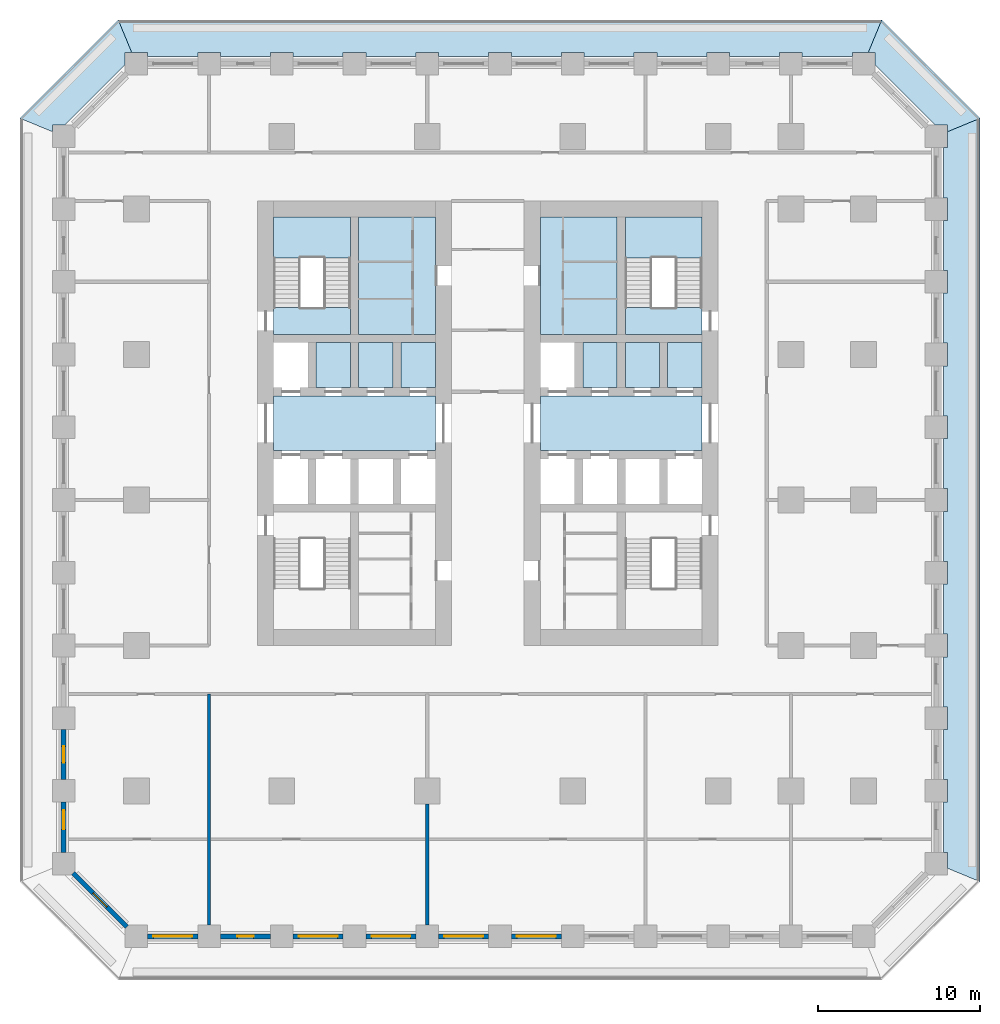
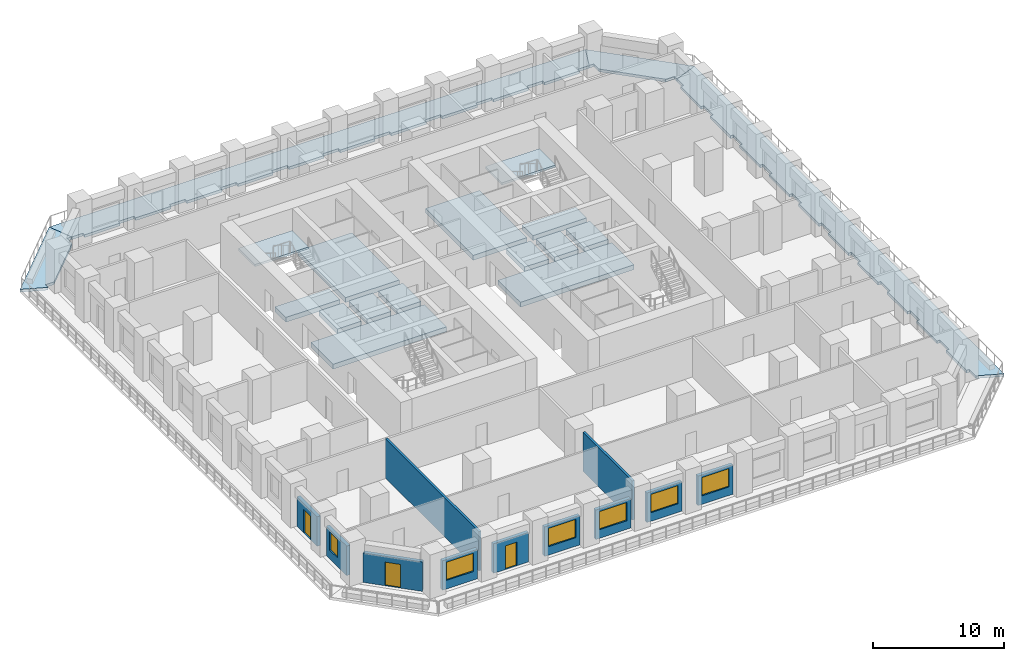
# One storey, part 2 of 11: 18 slabs, 11 walls, 6 windows, 3 doors, 9 openings, 2 elements without a shape of their own.
"""IFC4 building model written with IfcOpenShell, lengths in metres."""

import ifcopenshell
import ifcopenshell.guid

model = None  # the IFC model being written
_history = None  # IfcOwnerHistory: only IFC2X3 demands one
_inside = {}  # id of a spatial element -> (the spatial element, [elements in it])
_under = {}  # id of a project, library or spatial element -> (it, [spatial elements below it])
_declared = {}  # id of a project -> (the project, [libraries it declares])
_typed = {}  # id of a type object -> (the type object, [elements of that type])
_made_of = {}  # id of a material, layer set ... -> (it, [elements and type objects made of it])


def new_model(schema):
    """Start an empty IFC model of exactly this schema.

    Asked for "IFC4X3", IfcOpenShell would pick the latest addendum, in which some entities
    have other attributes; the version numbers below select the first issue.
    IFC2X3 requires an IfcOwnerHistory on every rooted entity: one is made here for all.
    """
    global model, _history
    if schema == "IFC4X3":
        model = ifcopenshell.file(schema_version=(4, 3, 0, 0))
    else:
        model = ifcopenshell.file(schema=schema)
    _inside.clear()
    _under.clear()
    _declared.clear()
    _typed.clear()
    _made_of.clear()
    _history = None
    if model.schema == "IFC2X3":
        org = make("IfcOrganization", Name="unknown")
        user = make(
            "IfcPersonAndOrganization",
            ThePerson=make("IfcPerson", FamilyName="unknown"),
            TheOrganization=org,
        )
        app = make(
            "IfcApplication",
            ApplicationDeveloper=org,
            Version="unknown",
            ApplicationFullName="unknown",
            ApplicationIdentifier="unknown",
        )
        _history = make(
            "IfcOwnerHistory",
            OwningUser=user,
            OwningApplication=app,
            ChangeAction="ADDED",
            CreationDate=0,
        )
    return model


def make(cls, **values):
    """One entity of the class cls with the attributes given. An attribute that is None is left unset."""
    return model.create_entity(
        cls, **{name: value for name, value in values.items() if value is not None}
    )


def rooted(cls, **values):
    """An entity with a GlobalId (a new one), such as an element, a storey or a relation."""
    return make(cls, GlobalId=ifcopenshell.guid.new(), OwnerHistory=_history, **values)


def si_unit(unit_type, name, prefix=None):
    """IfcSIUnit, for example si_unit("LENGTHUNIT", "METRE", prefix="MILLI")."""
    return make("IfcSIUnit", UnitType=unit_type, Prefix=prefix, Name=name)


def assignment(units):
    """IfcUnitAssignment: the units of a project."""
    return None if units is None else make("IfcUnitAssignment", Units=units)


def point(xyz):
    """IfcCartesianPoint."""
    return None if xyz is None else make("IfcCartesianPoint", Coordinates=xyz)


def direction(xyz):
    """IfcDirection."""
    return None if xyz is None else make("IfcDirection", DirectionRatios=xyz)


def frame(location, z_axis=None, x_axis=None):
    """IfcAxis2Placement3D, a coordinate frame: its origin and axes. An axis left out is left unset."""
    return make(
        "IfcAxis2Placement3D",
        Location=point(location),
        Axis=direction(z_axis),
        RefDirection=direction(x_axis),
    )


def frame_2d(location, x_axis=None):
    """IfcAxis2Placement2D, a coordinate frame in the plane: its origin and x axis."""
    return make(
        "IfcAxis2Placement2D", Location=point(location), RefDirection=direction(x_axis)
    )


def origin():
    """The frame at (0, 0, 0) with its axes left unset."""
    return frame((0.0, 0.0, 0.0))


def place(relative_to, where):
    """IfcLocalPlacement: puts the frame where relative to a parent placement (None: the world)."""
    return make(
        "IfcLocalPlacement", PlacementRelTo=relative_to, RelativePlacement=where
    )


def context(
    kind, dimensions, precision=None, world=None, true_north=None, identifier=None
):
    """IfcGeometricRepresentationContext, for example the 3D "Model" context."""
    return make(
        "IfcGeometricRepresentationContext",
        ContextIdentifier=identifier,
        ContextType=kind,
        CoordinateSpaceDimension=dimensions,
        Precision=precision,
        WorldCoordinateSystem=world,
        TrueNorth=true_north,
    )


def subcontext(parent, identifier, kind, view, scale=None):
    """IfcGeometricRepresentationSubContext, for example "Body" below "Model"."""
    return make(
        "IfcGeometricRepresentationSubContext",
        ContextIdentifier=identifier,
        ContextType=kind,
        ParentContext=parent,
        TargetScale=scale,
        TargetView=view,
    )


def project(units=None, contexts=None):
    """IfcProject with its units and contexts."""
    return rooted(
        "IfcProject",
        Name="project",
        RepresentationContexts=contexts,
        UnitsInContext=assignment(units),
    )


def spatial(cls, under=None, at=None, **own):
    """A site, building, storey or space (cls), placed at a placement, below another one or the project."""
    s = rooted(cls, ObjectPlacement=at, **own)
    if under is not None:
        _under.setdefault(under.id(), (under, []))[1].append(s)
    return s


def polyline(points):
    """IfcPolyline through the points."""
    return make("IfcPolyline", Points=[point(p) for p in points])


def profile(cls, at=None, kind="AREA", **sizes):
    """A parametric profile (cls). Its sizes go by their IFC names, for example OverallWidth=200.0."""
    return make(cls, ProfileType=kind, Position=at, **sizes)


def rectangle(**sizes):
    """IfcRectangleProfileDef."""
    return profile("IfcRectangleProfileDef", **sizes)


def outline(outer, holes=None, kind="AREA"):
    """IfcArbitraryClosedProfileDef: a profile drawn as a closed curve; with holes, ...WithVoids."""
    if holes is None:
        return make("IfcArbitraryClosedProfileDef", ProfileType=kind, OuterCurve=outer)
    return make(
        "IfcArbitraryProfileDefWithVoids",
        ProfileType=kind,
        OuterCurve=outer,
        InnerCurves=holes,
    )


def extrude(swept, where, along, depth):
    """IfcExtrudedAreaSolid: the profile swept, set in the frame where, extruded along a direction by depth."""
    return make(
        "IfcExtrudedAreaSolid",
        SweptArea=swept,
        Position=where,
        ExtrudedDirection=direction(along),
        Depth=depth,
    )


def shape(context_of_items, identifier, shape_type, items):
    """IfcShapeRepresentation: the items that make up one representation, for example the "Body"."""
    return make(
        "IfcShapeRepresentation",
        ContextOfItems=context_of_items,
        RepresentationIdentifier=identifier,
        RepresentationType=shape_type,
        Items=items,
    )


def material(Name=None, Category=None):
    """IfcMaterial."""
    return make("IfcMaterial", Name=Name, Category=Category)


def layer(
    of_material, thickness, ventilated=None, Name=None, Category=None, Priority=None
):
    """IfcMaterialLayer: one layer of a wall or slab, of a material (None: an air gap)."""
    return make(
        "IfcMaterialLayer",
        Material=of_material,
        LayerThickness=thickness,
        IsVentilated=ventilated,
        Name=Name,
        Category=Category,
        Priority=Priority,
    )


def layer_set(layers, Name=None):
    """IfcMaterialLayerSet."""
    return make("IfcMaterialLayerSet", MaterialLayers=layers, LayerSetName=Name)


def made_of(thing, what):
    """Note that an element or type object is made of a material, layer set ...; save() writes the relation."""
    if what is not None:
        _made_of.setdefault(what.id(), (what, []))[1].append(thing)
    return thing


def type_object(cls, material=None, **own):
    """A type object (cls), such as IfcWallType, which elements share."""
    return made_of(rooted(cls, **own), material)


def element(
    cls,
    number,
    at=None,
    inside=None,
    cuts=None,
    type_object=None,
    material=None,
    context=None,
    identifier="Body",
    shape_type=None,
    held_by="IfcProductDefinitionShape",
    body=None,
    shapes=None,
    **own,
):
    """One element of the class cls, such as IfcWall. Its Tag is "e" and its number.

    at: its placement. inside: the storey or other place that contains it. cuts: it is an
    opening in that element (IfcRelVoidsElement). A single representation is given by context,
    identifier, shape_type and body (its items); several are given by shapes. held_by: the class
    of the entity that holds the representations. save() writes the other relations.
    """
    e = rooted(cls, Tag="e%d" % number, ObjectPlacement=at, **own)
    if body is not None:
        shapes = [shape(context, identifier, shape_type, body)]
    if shapes is not None:
        e.Representation = make(held_by, Representations=shapes)
    if inside is not None:
        _inside.setdefault(inside.id(), (inside, []))[1].append(e)
    if cuts is not None:
        rooted(
            "IfcRelVoidsElement", RelatingBuildingElement=cuts, RelatedOpeningElement=e
        )
    if type_object is not None:
        _typed.setdefault(type_object.id(), (type_object, []))[1].append(e)
    return made_of(e, material)


def fill(opening, filler):
    """IfcRelFillsElement: the door or window that sits in an opening."""
    return rooted(
        "IfcRelFillsElement",
        RelatingOpeningElement=opening,
        RelatedBuildingElement=filler,
    )


def aggregate(whole, parts):
    """IfcRelAggregates: a whole, such as a stair, and the parts it consists of."""
    return rooted("IfcRelAggregates", RelatingObject=whole, RelatedObjects=parts)


def save(model, path):
    """Write the relations noted so far, then the file.

    IfcRelAggregates (storeys below a building ...), IfcRelContainedInSpatialStructure (elements
    in a storey), IfcRelDefinesByType, IfcRelAssociatesMaterial and IfcRelDeclares: one each for
    every whole, place, type object, material and project.
    """
    for whole, parts in _under.values():
        aggregate(whole, parts)
    for where, things in _inside.values():
        rooted(
            "IfcRelContainedInSpatialStructure",
            RelatedElements=things,
            RelatingStructure=where,
        )
    for kind, things in _typed.values():
        rooted("IfcRelDefinesByType", RelatedObjects=things, RelatingType=kind)
    for what, things in _made_of.values():
        rooted("IfcRelAssociatesMaterial", RelatedObjects=things, RelatingMaterial=what)
    for by, libraries in _declared.values():
        rooted("IfcRelDeclares", RelatingContext=by, RelatedDefinitions=libraries)
    model.write(path)


model = new_model("IFC4")

# Units and contexts
model_context = context("Model", 3, precision=1e-05, world=origin(), true_north=direction((0.0, 1.0)))
body_context = subcontext(model_context, "Body", "Model", "MODEL_VIEW")
ifc_project = project(units=[si_unit("LENGTHUNIT", "METRE"), si_unit("AREAUNIT", "SQUARE_METRE"), si_unit("VOLUMEUNIT", "CUBIC_METRE"), si_unit("PLANEANGLEUNIT", "RADIAN"), si_unit("MASSUNIT", "GRAM", prefix="KILO")], contexts=[model_context])

# Site, building, storey
site_placement = place(None, origin())
site = spatial("IfcSite", under=ifc_project, at=site_placement, CompositionType="ELEMENT")
building_placement = place(site_placement, origin())
building = spatial("IfcBuilding", under=site, at=building_placement, Name="Corbel Stack Research Tower", CompositionType="ELEMENT")
storey_placement = place(building_placement, frame((0.0, 0.0, 46.0)))
storey = spatial("IfcBuildingStorey", under=building, at=storey_placement, Name="L10", CompositionType="ELEMENT", Elevation=46.0)

# Slabs
ifc_material_1 = material(Name="Concrete C45/55", Category="concrete")
ifc_layer_1 = layer(ifc_material_1, 0.25)
ifc_layer_set_1 = layer_set([ifc_layer_1], Name="Concrete C45/55")
slab_type_1 = type_object("IfcSlabType", Name="PT balcony slab 250 C45/55", PredefinedType="FLOOR", material=ifc_layer_set_1)
slab_1_placement = place(storey_placement, frame((0.0, 0.0, -0.25)))
element("IfcSlab", 1, at=slab_1_placement, inside=storey, type_object=slab_type_1, Name="Loggia slab L10 E", PredefinedType="FLOOR", context=body_context, shape_type="SweptSolid", body=[
    extrude(outline(polyline([(32.199951171875, 22.789794921875), (32.199951171875, 21.800048828125), (31.949951171875, 21.800048828125), (31.949951171875, 18.699951171875), (32.199951171875, 18.699951171875), (32.199951171875, 17.300048828125), (31.949951171875, 17.300048828125), (31.949951171875, 14.199951171875), (32.199951171875, 14.199951171875), (32.199951171875, 12.800048828125), (31.949951171875, 12.800048828125), (31.949951171875, 9.699951171875), (32.199951171875, 9.699951171875), (32.199951171875, 8.300048828125), (31.949951171875, 8.300048828125), (31.949951171875, 5.199951171875), (32.199951171875, 5.199951171875), (32.199951171875, 3.800048828125), (31.949951171875, 3.800048828125), (31.949951171875, 0.699951171875), (32.199951171875, 0.699951171875), (32.199951171875, -0.699951171875), (31.949951171875, -0.699951171875), (31.949951171875, -3.800048828125), (32.199951171875, -3.800048828125), (32.199951171875, -5.199951171875), (31.949951171875, -5.199951171875), (31.949951171875, -8.300048828125), (32.199951171875, -8.300048828125), (32.199951171875, -9.699951171875), (31.949951171875, -9.699951171875), (31.949951171875, -12.800048828125), (32.199951171875, -12.800048828125), (32.199951171875, -14.199951171875), (31.949951171875, -14.199951171875), (31.949951171875, -17.300048828125), (32.199951171875, -17.300048828125), (32.199951171875, -18.699951171875), (31.949951171875, -18.699951171875), (31.949951171875, -21.800048828125), (32.199951171875, -21.800048828125), (32.199951171875, -22.789794921875), (34.199951171875, -23.618408203125), (34.199951171875, 23.618408203125), (32.199951171875, 22.789794921875)])), origin(), (0.0, 0.0, 1.0), 0.25),
])
slab_2_placement = place(storey_placement, frame((0.0, 0.0, -0.25)))
element("IfcSlab", 2, at=slab_2_placement, inside=storey, type_object=slab_type_1, Name="Loggia slab L10 NE", PredefinedType="FLOOR", context=body_context, shape_type="SweptSolid", body=[
    extrude(outline(polyline([(27.289794921875, 27.699951171875), (27.699951171875, 27.699951171875), (27.699951171875, 26.936279296875), (31.436279296875, 23.199951171875), (32.199951171875, 23.199951171875), (32.199951171875, 22.789794921875), (34.199951171875, 23.618408203125), (28.118408203125, 29.699951171875), (27.289794921875, 27.699951171875)])), origin(), (0.0, 0.0, 1.0), 0.25),
])
slab_3_placement = place(storey_placement, frame((0.0, 0.0, -0.25)))
element("IfcSlab", 3, at=slab_3_placement, inside=storey, type_object=slab_type_1, Name="Loggia slab L10 N", PredefinedType="FLOOR", context=body_context, shape_type="SweptSolid", body=[
    extrude(outline(polyline([(-18.289794921875, 27.699951171875), (-17.300048828125, 27.699951171875), (-17.300048828125, 27.449951171875), (-14.199951171875, 27.449951171875), (-14.199951171875, 27.699951171875), (-12.800048828125, 27.699951171875), (-12.800048828125, 27.449951171875), (-9.699951171875, 27.449951171875), (-9.699951171875, 27.699951171875), (-8.300048828125, 27.699951171875), (-8.300048828125, 27.449951171875), (-5.199951171875, 27.449951171875), (-5.199951171875, 27.699951171875), (-3.800048828125, 27.699951171875), (-3.800048828125, 27.449951171875), (-0.699951171875, 27.449951171875), (-0.699951171875, 27.699951171875), (0.699951171875, 27.699951171875), (0.699951171875, 27.449951171875), (3.800048828125, 27.449951171875), (3.800048828125, 27.699951171875), (5.199951171875, 27.699951171875), (5.199951171875, 27.449951171875), (8.300048828125, 27.449951171875), (8.300048828125, 27.699951171875), (9.699951171875, 27.699951171875), (9.699951171875, 27.449951171875), (12.800048828125, 27.449951171875), (12.800048828125, 27.699951171875), (14.199951171875, 27.699951171875), (14.199951171875, 27.449951171875), (17.300048828125, 27.449951171875), (17.300048828125, 27.699951171875), (18.699951171875, 27.699951171875), (18.699951171875, 27.449951171875), (21.800048828125, 27.449951171875), (21.800048828125, 27.699951171875), (23.199951171875, 27.699951171875), (23.199951171875, 27.449951171875), (26.300048828125, 27.449951171875), (26.300048828125, 27.699951171875), (27.289794921875, 27.699951171875), (28.118408203125, 29.699951171875), (-19.118408203125, 29.699951171875), (-18.289794921875, 27.699951171875)])), origin(), (0.0, 0.0, 1.0), 0.25),
])
slab_4_placement = place(storey_placement, frame((0.0, 0.0, -0.25)))
element("IfcSlab", 4, at=slab_4_placement, inside=storey, type_object=slab_type_1, Name="Loggia slab L10 NW", PredefinedType="FLOOR", context=body_context, shape_type="SweptSolid", body=[
    extrude(outline(polyline([(-23.199951171875, 22.789794921875), (-23.199951171875, 23.199951171875), (-22.436279296875, 23.199951171875), (-18.699951171875, 26.936279296875), (-18.699951171875, 27.699951171875), (-18.289794921875, 27.699951171875), (-19.118408203125, 29.699951171875), (-25.199951171875, 23.618408203125), (-23.199951171875, 22.789794921875)])), origin(), (0.0, 0.0, 1.0), 0.25),
])
ifc_material_2 = material(Name="Concrete C45/55", Category="concrete")
ifc_layer_2 = layer(ifc_material_2, 0.449951171875)
ifc_layer_set_2 = layer_set([ifc_layer_2], Name="Concrete C45/55")
slab_type_2 = type_object("IfcSlabType", Name="PT-450", PredefinedType="FLOOR", material=ifc_layer_set_2)
slab_5_placement = place(storey_placement, frame((0.0, 0.0, -0.449951171875)))
element("IfcSlab", 5, at=slab_5_placement, inside=storey, type_object=slab_type_2, Name="West core floor L10", PredefinedType="FLOOR", context=body_context, shape_type="SweptSolid", body=[
    extrude(outline(polyline([(-9.5, 6.449951171875), (-9.5, 3.050048828125), (0.5, 3.050048828125), (0.5, 6.449951171875), (-9.5, 6.449951171875)])), origin(), (0.0, 0.0, 1.0), 0.449951171875),
])
slab_6_placement = place(storey_placement, frame((0.0, 0.0, -0.449951171875)))
element("IfcSlab", 6, at=slab_6_placement, inside=storey, type_object=slab_type_2, Name="West core floor L10", PredefinedType="FLOOR", context=body_context, shape_type="SweptSolid", body=[
    extrude(outline(polyline([(-6.875, 6.949951171875), (-4.75, 6.949951171875), (-4.75, 9.75), (-6.875, 9.75), (-6.875, 6.949951171875)])), origin(), (0.0, 0.0, 1.0), 0.449951171875),
])
slab_7_placement = place(storey_placement, frame((0.0, 0.0, -0.449951171875)))
element("IfcSlab", 7, at=slab_7_placement, inside=storey, type_object=slab_type_2, Name="West core floor L10", PredefinedType="FLOOR", context=body_context, shape_type="SweptSolid", body=[
    extrude(outline(polyline([(-2.125, 6.949951171875), (-2.125, 9.75), (-4.25, 9.75), (-4.25, 6.949951171875), (-2.125, 6.949951171875)])), origin(), (0.0, 0.0, 1.0), 0.449951171875),
])
slab_8_placement = place(storey_placement, frame((0.0, 0.0, -0.449951171875)))
element("IfcSlab", 8, at=slab_8_placement, inside=storey, type_object=slab_type_2, Name="West core floor L10", PredefinedType="FLOOR", context=body_context, shape_type="SweptSolid", body=[
    extrude(outline(polyline([(-4.25, 17.5), (-4.25, 10.25), (0.5, 10.25), (0.5, 17.5), (-4.25, 17.5)])), origin(), (0.0, 0.0, 1.0), 0.449951171875),
])
slab_9_placement = place(storey_placement, frame((0.0, 0.0, -0.449951171875)))
element("IfcSlab", 9, at=slab_9_placement, inside=storey, type_object=slab_type_2, Name="West core floor L10", PredefinedType="FLOOR", context=body_context, shape_type="SweptSolid", body=[
    extrude(outline(polyline([(0.5, 6.949951171875), (0.5, 9.75), (-1.625, 9.75), (-1.625, 6.949951171875), (0.5, 6.949951171875)])), origin(), (0.0, 0.0, 1.0), 0.449951171875),
])
slab_10_placement = place(storey_placement, frame((0.0, 0.0, -0.449951171875)))
element("IfcSlab", 10, at=slab_10_placement, inside=storey, type_object=slab_type_2, Name="East core floor L10", PredefinedType="FLOOR", context=body_context, shape_type="SweptSolid", body=[
    extrude(outline(polyline([(7.0, 6.449951171875), (7.0, 3.050048828125), (17.0, 3.050048828125), (17.0, 6.449951171875), (7.0, 6.449951171875)])), origin(), (0.0, 0.0, 1.0), 0.449951171875),
])
slab_11_placement = place(storey_placement, frame((0.0, 0.0, -0.449951171875)))
element("IfcSlab", 11, at=slab_11_placement, inside=storey, type_object=slab_type_2, Name="East core floor L10", PredefinedType="FLOOR", context=body_context, shape_type="SweptSolid", body=[
    extrude(outline(polyline([(7.0, 17.5), (7.0, 10.25), (11.75, 10.25), (11.75, 17.5), (7.0, 17.5)])), origin(), (0.0, 0.0, 1.0), 0.449951171875),
])
slab_12_placement = place(storey_placement, frame((0.0, 0.0, -0.449951171875)))
element("IfcSlab", 12, at=slab_12_placement, inside=storey, type_object=slab_type_2, Name="East core floor L10", PredefinedType="FLOOR", context=body_context, shape_type="SweptSolid", body=[
    extrude(outline(polyline([(9.625, 6.949951171875), (11.75, 6.949951171875), (11.75, 9.75), (9.625, 9.75), (9.625, 6.949951171875)])), origin(), (0.0, 0.0, 1.0), 0.449951171875),
])
slab_13_placement = place(storey_placement, frame((0.0, 0.0, -0.449951171875)))
element("IfcSlab", 13, at=slab_13_placement, inside=storey, type_object=slab_type_2, Name="East core floor L10", PredefinedType="FLOOR", context=body_context, shape_type="SweptSolid", body=[
    extrude(outline(polyline([(14.375, 6.949951171875), (14.375, 9.75), (12.25, 9.75), (12.25, 6.949951171875), (14.375, 6.949951171875)])), origin(), (0.0, 0.0, 1.0), 0.449951171875),
])
slab_14_placement = place(storey_placement, frame((0.0, 0.0, -0.449951171875)))
element("IfcSlab", 14, at=slab_14_placement, inside=storey, type_object=slab_type_2, Name="East core floor L10", PredefinedType="FLOOR", context=body_context, shape_type="SweptSolid", body=[
    extrude(outline(polyline([(17.0, 6.949951171875), (17.0, 9.75), (14.875, 9.75), (14.875, 6.949951171875), (17.0, 6.949951171875)])), origin(), (0.0, 0.0, 1.0), 0.449951171875),
])
slab_15_placement = place(storey_placement, frame((0.0, 0.0, -0.449951171875)))
element("IfcSlab", 15, at=slab_15_placement, inside=storey, type_object=slab_type_2, Name="Stair floor landing ST-W2", PredefinedType="FLOOR", context=body_context, shape_type="SweptSolid", body=[
    extrude(outline(polyline([(-9.5, 10.25), (-4.75, 10.25), (-4.75, 11.89990234375), (-9.5, 11.89990234375), (-9.5, 10.25)])), origin(), (0.0, 0.0, 1.0), 0.449951171875),
])
slab_16_placement = place(storey_placement, frame((0.0, 0.0, -0.449951171875)))
element("IfcSlab", 16, at=slab_16_placement, inside=storey, type_object=slab_type_2, Name="Stair floor landing ST-E2", PredefinedType="FLOOR", context=body_context, shape_type="SweptSolid", body=[
    extrude(outline(polyline([(12.25, 10.25), (17.0, 10.25), (17.0, 11.89990234375), (12.25, 11.89990234375), (12.25, 10.25)])), origin(), (0.0, 0.0, 1.0), 0.449951171875),
])

# Stair, slab
ifc_material_3 = material(Name="Concrete C40/50", Category="concrete")
stair_type = type_object("IfcStairType", Name="Exit stair 24 risers", PredefinedType="HALF_TURN_STAIR", material=ifc_material_3)
stair_1_placement = place(storey_placement, origin())
stair_1 = element("IfcStair", 17, at=stair_1_placement, inside=storey, type_object=stair_type, Name="L10 Exit stair ST-W2", PredefinedType="HALF_TURN_STAIR")
ifc_material_4 = material(Name="Concrete C40/50", Category="concrete")
ifc_layer_3 = layer(ifc_material_4, 0.199951171875)
ifc_layer_set_3 = layer_set([ifc_layer_3], Name="Concrete C40/50")
slab_type_3 = type_object("IfcSlabType", Name="Stair landing 200 C40/50", PredefinedType="LANDING", material=ifc_layer_set_3)
slab_17_placement = place(storey_placement, frame((0.0, 0.0, 1.85009765625)))
slab_17 = element("IfcSlab", 18, at=slab_17_placement, type_object=slab_type_3, Name="ST-W2 landing 1", PredefinedType="LANDING", context=body_context, shape_type="SweptSolid", body=[
    extrude(outline(polyline([(-9.5, 14.97998046875), (-9.5, 17.5), (-4.75, 17.5), (-4.75, 14.97998046875), (-9.5, 14.97998046875)])), origin(), (0.0, 0.0, 1.0), 0.199951171875),
])
aggregate(stair_1, [slab_17])

stair_2_placement = place(storey_placement, origin())
stair_2 = element("IfcStair", 19, at=stair_2_placement, inside=storey, type_object=stair_type, Name="L10 Exit stair ST-E2", PredefinedType="HALF_TURN_STAIR")
slab_18_placement = place(storey_placement, frame((0.0, 0.0, 1.85009765625)))
slab_18 = element("IfcSlab", 20, at=slab_18_placement, type_object=slab_type_3, Name="ST-E2 landing 1", PredefinedType="LANDING", context=body_context, shape_type="SweptSolid", body=[
    extrude(outline(polyline([(12.25, 14.97998046875), (12.25, 17.5), (17.0, 17.5), (17.0, 14.97998046875), (12.25, 14.97998046875)])), origin(), (0.0, 0.0, 1.0), 0.199951171875),
])
aggregate(stair_2, [slab_18])

# Walls
ifc_material_5 = material(Name="Fire-rated gypsum board partition on steel studs", Category="steel")
ifc_layer_4 = layer(ifc_material_5, 0.199951171875)
ifc_layer_set_4 = layer_set([ifc_layer_4], Name="Fire-rated gypsum board partition on steel studs")
wall_type_1 = type_object("IfcWallType", Name="Fire-rated partition 200 EI 60", PredefinedType="PARTITIONING", material=ifc_layer_set_4)
wall_1_placement = place(storey_placement, frame((-13.5, -26.300048828125, 0.0), z_axis=(0.0, 0.0, 1.0), x_axis=(0.0, 1.0, 0.0)))
element("IfcWall", 21, at=wall_1_placement, inside=storey, type_object=wall_type_1, Name="Partition L10-001", PredefinedType="PARTITIONING", context=body_context, shape_type="SweptSolid", body=[
    extrude(rectangle(XDim=14.300048828125, YDim=0.199951171875, at=frame_2d((7.14990234375, 0.0))), origin(), (0.0, 0.0, 1.0), 3.64990234375),
])
wall_2_placement = place(storey_placement, frame((0.0, -26.300048828125, 0.0), z_axis=(0.0, 0.0, 1.0), x_axis=(0.0, 1.0, 0.0)))
element("IfcWall", 22, at=wall_2_placement, inside=storey, type_object=wall_type_1, Name="Partition L10-004", PredefinedType="PARTITIONING", context=body_context, shape_type="SweptSolid", body=[
    extrude(rectangle(XDim=7.5, YDim=0.199951171875, at=frame_2d((3.75, 0.0))), origin(), (0.0, 0.0, 1.0), 3.64990234375),
])

# Wall, opening, window
ifc_material_6 = material(Name="Concrete C45/55", Category="concrete")
ifc_layer_5 = layer(ifc_material_6, 0.300048828125)
ifc_layer_set_5 = layer_set([ifc_layer_5], Name="Concrete C45/55")
wall_type_2 = type_object("IfcWallType", Name="Terracotta-faced concrete wall 300", PredefinedType="SOLIDWALL", material=ifc_layer_set_5)
wall_3_placement = place(storey_placement, frame((-14.199951171875, -27.0, 0.0), z_axis=(0.0, 0.0, 1.0), x_axis=(-1.0, 0.0, 0.0)))
wall_3 = element("IfcWall", 23, at=wall_3_placement, inside=storey, type_object=wall_type_2, Name="Facade wall L10 S01", PredefinedType="SOLIDWALL", context=body_context, shape_type="SweptSolid", body=[
    extrude(rectangle(XDim=3.10009765625, YDim=0.300048828125, at=frame_2d((1.550048828125, 0.0))), origin(), (0.0, 0.0, 1.0), 2.75),
])
opening_1_placement = place(wall_3_placement, frame((0.35009765625, 0.0, 0.800048828125)))
opening_1 = element("IfcOpeningElement", 24, at=opening_1_placement, cuts=wall_3, Name="Opening W1", PredefinedType="OPENING", context=body_context, shape_type="SweptSolid", body=[
    extrude(rectangle(XDim=2.39990234375, YDim=1.699951171875, at=frame_2d((1.199951171875, 0.85009765625))), frame((0.0, 0.159912109375, 0.0), z_axis=(0.0, -1.0, 0.0), x_axis=(1.0, 0.0, 0.0)), (0.0, 0.0, 1.0), 0.320068359375),
])
ifc_material_7 = material(Name="Aluminium frame, clear double glazing", Category="aluminium")
window_type_1 = type_object("IfcWindowType", Name="Window W1 2400 x 1700", PartitioningType="SINGLE_PANEL", PredefinedType="WINDOW", material=ifc_material_7)
window_1_placement = place(opening_1_placement, origin())
window_1 = element("IfcWindow", 25, at=window_1_placement, inside=storey, type_object=window_type_1, Name="Window W1 L10 S01", OverallHeight=1.699951171875, OverallWidth=2.39990234375, PartitioningType="SINGLE_PANEL", PredefinedType="WINDOW", context=body_context, shape_type="SweptSolid", body=[
    extrude(rectangle(XDim=2.39990234375, YDim=1.699951171875, at=frame_2d((1.199951171875, 0.85009765625))), frame((0.0, 0.030029296875, 0.0), z_axis=(0.0, -1.0, 0.0), x_axis=(1.0, 0.0, 0.0)), (0.0, 0.0, 1.0), 0.06005859375),
])
fill(opening_1, window_1)

# Wall, opening, door
wall_4_placement = place(storey_placement, frame((-9.699951171875, -27.0, 0.0), z_axis=(0.0, 0.0, 1.0), x_axis=(-1.0, 0.0, 0.0)))
wall_4 = element("IfcWall", 26, at=wall_4_placement, inside=storey, type_object=wall_type_2, Name="Facade wall L10 S02", PredefinedType="SOLIDWALL", context=body_context, shape_type="SweptSolid", body=[
    extrude(rectangle(XDim=3.10009765625, YDim=0.300048828125, at=frame_2d((1.550048828125, 0.0))), origin(), (0.0, 0.0, 1.0), 2.75),
])
opening_2_placement = place(wall_4_placement, frame((1.050048828125, 0.0, 0.0)))
opening_2 = element("IfcOpeningElement", 27, at=opening_2_placement, cuts=wall_4, Name="Opening L10-B01", PredefinedType="OPENING", context=body_context, shape_type="SweptSolid", body=[
    extrude(rectangle(XDim=1.0, YDim=2.199951171875, at=frame_2d((0.5, 1.10009765625))), frame((0.0, 0.159912109375, 0.0), z_axis=(0.0, -1.0, 0.0), x_axis=(1.0, 0.0, 0.0)), (0.0, 0.0, 1.0), 0.320068359375),
])
ifc_material_8 = material(Name="Aluminium frame, clear double glazing", Category="aluminium")
door_type_1 = type_object("IfcDoorType", Name="Balcony door BD1 1000 x 2200", OperationType="NOTDEFINED", PredefinedType="DOOR", material=ifc_material_8)
door_1_placement = place(opening_2_placement, origin())
door_1 = element("IfcDoor", 28, at=door_1_placement, inside=storey, type_object=door_type_1, Name="Balcony door L10-B01", OperationType="SINGLE_SWING_RIGHT", OverallHeight=2.199951171875, OverallWidth=1.0, PredefinedType="DOOR", context=body_context, shape_type="SweptSolid", body=[
    extrude(rectangle(XDim=1.0, YDim=2.199951171875, at=frame_2d((0.5, 1.10009765625))), frame((0.0, 0.02490234375, 0.0), z_axis=(0.0, -1.0, 0.0), x_axis=(1.0, 0.0, 0.0)), (0.0, 0.0, 1.0), 0.050048828125),
])
fill(opening_2, door_1)

# Wall, opening, window
wall_5_placement = place(storey_placement, frame((-5.199951171875, -27.0, 0.0), z_axis=(0.0, 0.0, 1.0), x_axis=(-1.0, 0.0, 0.0)))
wall_5 = element("IfcWall", 29, at=wall_5_placement, inside=storey, type_object=wall_type_2, Name="Facade wall L10 S03", PredefinedType="SOLIDWALL", context=body_context, shape_type="SweptSolid", body=[
    extrude(rectangle(XDim=3.10009765625, YDim=0.300048828125, at=frame_2d((1.550048828125, 0.0))), origin(), (0.0, 0.0, 1.0), 2.75),
])
opening_3_placement = place(wall_5_placement, frame((0.35009765625, 0.0, 0.800048828125)))
opening_3 = element("IfcOpeningElement", 30, at=opening_3_placement, cuts=wall_5, Name="Opening W1", PredefinedType="OPENING", context=body_context, shape_type="SweptSolid", body=[
    extrude(rectangle(XDim=2.39990234375, YDim=1.699951171875, at=frame_2d((1.199951171875, 0.85009765625))), frame((0.0, 0.159912109375, 0.0), z_axis=(0.0, -1.0, 0.0), x_axis=(1.0, 0.0, 0.0)), (0.0, 0.0, 1.0), 0.320068359375),
])
window_2_placement = place(opening_3_placement, origin())
window_2 = element("IfcWindow", 31, at=window_2_placement, inside=storey, type_object=window_type_1, Name="Window W1 L10 S03", OverallHeight=1.699951171875, OverallWidth=2.39990234375, PartitioningType="SINGLE_PANEL", PredefinedType="WINDOW", context=body_context, shape_type="SweptSolid", body=[
    extrude(rectangle(XDim=2.39990234375, YDim=1.699951171875, at=frame_2d((1.199951171875, 0.85009765625))), frame((0.0, 0.030029296875, 0.0), z_axis=(0.0, -1.0, 0.0), x_axis=(1.0, 0.0, 0.0)), (0.0, 0.0, 1.0), 0.06005859375),
])
fill(opening_3, window_2)

wall_6_placement = place(storey_placement, frame((-0.699951171875, -27.0, 0.0), z_axis=(0.0, 0.0, 1.0), x_axis=(-1.0, 0.0, 0.0)))
wall_6 = element("IfcWall", 32, at=wall_6_placement, inside=storey, type_object=wall_type_2, Name="Facade wall L10 S04", PredefinedType="SOLIDWALL", context=body_context, shape_type="SweptSolid", body=[
    extrude(rectangle(XDim=3.10009765625, YDim=0.300048828125, at=frame_2d((1.550048828125, 0.0))), origin(), (0.0, 0.0, 1.0), 2.75),
])
opening_4_placement = place(wall_6_placement, frame((0.35009765625, 0.0, 0.800048828125)))
opening_4 = element("IfcOpeningElement", 33, at=opening_4_placement, cuts=wall_6, Name="Opening W1", PredefinedType="OPENING", context=body_context, shape_type="SweptSolid", body=[
    extrude(rectangle(XDim=2.39990234375, YDim=1.699951171875, at=frame_2d((1.199951171875, 0.85009765625))), frame((0.0, 0.159912109375, 0.0), z_axis=(0.0, -1.0, 0.0), x_axis=(1.0, 0.0, 0.0)), (0.0, 0.0, 1.0), 0.320068359375),
])
window_3_placement = place(opening_4_placement, origin())
window_3 = element("IfcWindow", 34, at=window_3_placement, inside=storey, type_object=window_type_1, Name="Window W1 L10 S04", OverallHeight=1.699951171875, OverallWidth=2.39990234375, PartitioningType="SINGLE_PANEL", PredefinedType="WINDOW", context=body_context, shape_type="SweptSolid", body=[
    extrude(rectangle(XDim=2.39990234375, YDim=1.699951171875, at=frame_2d((1.199951171875, 0.85009765625))), frame((0.0, 0.030029296875, 0.0), z_axis=(0.0, -1.0, 0.0), x_axis=(1.0, 0.0, 0.0)), (0.0, 0.0, 1.0), 0.06005859375),
])
fill(opening_4, window_3)

wall_7_placement = place(storey_placement, frame((3.800048828125, -27.0, 0.0), z_axis=(0.0, 0.0, 1.0), x_axis=(-1.0, 0.0, 0.0)))
wall_7 = element("IfcWall", 35, at=wall_7_placement, inside=storey, type_object=wall_type_2, Name="Facade wall L10 S05", PredefinedType="SOLIDWALL", context=body_context, shape_type="SweptSolid", body=[
    extrude(rectangle(XDim=3.10009765625, YDim=0.300048828125, at=frame_2d((1.550048828125, 0.0))), origin(), (0.0, 0.0, 1.0), 2.75),
])
opening_5_placement = place(wall_7_placement, frame((0.35009765625, 0.0, 0.800048828125)))
opening_5 = element("IfcOpeningElement", 36, at=opening_5_placement, cuts=wall_7, Name="Opening W1", PredefinedType="OPENING", context=body_context, shape_type="SweptSolid", body=[
    extrude(rectangle(XDim=2.39990234375, YDim=1.699951171875, at=frame_2d((1.199951171875, 0.85009765625))), frame((0.0, 0.159912109375, 0.0), z_axis=(0.0, -1.0, 0.0), x_axis=(1.0, 0.0, 0.0)), (0.0, 0.0, 1.0), 0.320068359375),
])
window_4_placement = place(opening_5_placement, origin())
window_4 = element("IfcWindow", 37, at=window_4_placement, inside=storey, type_object=window_type_1, Name="Window W1 L10 S05", OverallHeight=1.699951171875, OverallWidth=2.39990234375, PartitioningType="SINGLE_PANEL", PredefinedType="WINDOW", context=body_context, shape_type="SweptSolid", body=[
    extrude(rectangle(XDim=2.39990234375, YDim=1.699951171875, at=frame_2d((1.199951171875, 0.85009765625))), frame((0.0, 0.030029296875, 0.0), z_axis=(0.0, -1.0, 0.0), x_axis=(1.0, 0.0, 0.0)), (0.0, 0.0, 1.0), 0.06005859375),
])
fill(opening_5, window_4)

wall_8_placement = place(storey_placement, frame((8.300048828125, -27.0, 0.0), z_axis=(0.0, 0.0, 1.0), x_axis=(-1.0, 0.0, 0.0)))
wall_8 = element("IfcWall", 38, at=wall_8_placement, inside=storey, type_object=wall_type_2, Name="Facade wall L10 S06", PredefinedType="SOLIDWALL", context=body_context, shape_type="SweptSolid", body=[
    extrude(rectangle(XDim=3.10009765625, YDim=0.300048828125, at=frame_2d((1.550048828125, 0.0))), origin(), (0.0, 0.0, 1.0), 2.75),
])
opening_6_placement = place(wall_8_placement, frame((0.35009765625, 0.0, 0.800048828125)))
opening_6 = element("IfcOpeningElement", 39, at=opening_6_placement, cuts=wall_8, Name="Opening W1", PredefinedType="OPENING", context=body_context, shape_type="SweptSolid", body=[
    extrude(rectangle(XDim=2.39990234375, YDim=1.699951171875, at=frame_2d((1.199951171875, 0.85009765625))), frame((0.0, 0.159912109375, 0.0), z_axis=(0.0, -1.0, 0.0), x_axis=(1.0, 0.0, 0.0)), (0.0, 0.0, 1.0), 0.320068359375),
])
window_5_placement = place(opening_6_placement, origin())
window_5 = element("IfcWindow", 40, at=window_5_placement, inside=storey, type_object=window_type_1, Name="Window W1 L10 S06", OverallHeight=1.699951171875, OverallWidth=2.39990234375, PartitioningType="SINGLE_PANEL", PredefinedType="WINDOW", context=body_context, shape_type="SweptSolid", body=[
    extrude(rectangle(XDim=2.39990234375, YDim=1.699951171875, at=frame_2d((1.199951171875, 0.85009765625))), frame((0.0, 0.030029296875, 0.0), z_axis=(0.0, -1.0, 0.0), x_axis=(1.0, 0.0, 0.0)), (0.0, 0.0, 1.0), 0.06005859375),
])
fill(opening_6, window_5)

# Wall, opening, door
wall_9_placement = place(storey_placement, frame((-22.5, -17.300048828125, 0.0), z_axis=(0.0, 0.0, 1.0), x_axis=(0.0, 1.0, 0.0)))
wall_9 = element("IfcWall", 41, at=wall_9_placement, inside=storey, type_object=wall_type_2, Name="Facade wall L10 W09", PredefinedType="SOLIDWALL", context=body_context, shape_type="SweptSolid", body=[
    extrude(rectangle(XDim=3.10009765625, YDim=0.300048828125, at=frame_2d((1.550048828125, 0.0))), origin(), (0.0, 0.0, 1.0), 2.75),
])
opening_7_placement = place(wall_9_placement, frame((1.050048828125, 0.0, 0.0)))
opening_7 = element("IfcOpeningElement", 42, at=opening_7_placement, cuts=wall_9, Name="Opening L10-B11", PredefinedType="OPENING", context=body_context, shape_type="SweptSolid", body=[
    extrude(rectangle(XDim=1.0, YDim=2.199951171875, at=frame_2d((0.5, 1.10009765625))), frame((0.0, 0.159912109375, 0.0), z_axis=(0.0, -1.0, 0.0), x_axis=(1.0, 0.0, 0.0)), (0.0, 0.0, 1.0), 0.320068359375),
])
door_2_placement = place(opening_7_placement, origin())
door_2 = element("IfcDoor", 43, at=door_2_placement, inside=storey, type_object=door_type_1, Name="Balcony door L10-B11", OperationType="SINGLE_SWING_LEFT", OverallHeight=2.199951171875, OverallWidth=1.0, PredefinedType="DOOR", context=body_context, shape_type="SweptSolid", body=[
    extrude(rectangle(XDim=1.0, YDim=2.199951171875, at=frame_2d((0.5, 1.10009765625))), frame((0.0, 0.02490234375, 0.0), z_axis=(0.0, -1.0, 0.0), x_axis=(1.0, 0.0, 0.0)), (0.0, 0.0, 1.0), 0.050048828125),
])
fill(opening_7, door_2)

# Wall, opening, window
wall_10_placement = place(storey_placement, frame((-22.5, -21.800048828125, 0.0), z_axis=(0.0, 0.0, 1.0), x_axis=(0.0, 1.0, 0.0)))
wall_10 = element("IfcWall", 44, at=wall_10_placement, inside=storey, type_object=wall_type_2, Name="Facade wall L10 W10", PredefinedType="SOLIDWALL", context=body_context, shape_type="SweptSolid", body=[
    extrude(rectangle(XDim=3.10009765625, YDim=0.300048828125, at=frame_2d((1.550048828125, 0.0))), origin(), (0.0, 0.0, 1.0), 2.75),
])
opening_8_placement = place(wall_10_placement, frame((1.41259765625, 0.0, 0.800048828125)))
opening_8 = element("IfcOpeningElement", 45, at=opening_8_placement, cuts=wall_10, Name="Opening W2", PredefinedType="OPENING", context=body_context, shape_type="SweptSolid", body=[
    extrude(rectangle(XDim=1.199951171875, YDim=1.699951171875, at=frame_2d((0.60009765625, 0.85009765625))), frame((0.0, 0.159912109375, 0.0), z_axis=(0.0, -1.0, 0.0), x_axis=(1.0, 0.0, 0.0)), (0.0, 0.0, 1.0), 0.320068359375),
])
ifc_material_9 = material(Name="Aluminium frame, clear double glazing", Category="aluminium")
window_type_2 = type_object("IfcWindowType", Name="Window W2 1200 x 1700", PartitioningType="SINGLE_PANEL", PredefinedType="WINDOW", material=ifc_material_9)
window_6_placement = place(opening_8_placement, origin())
window_6 = element("IfcWindow", 46, at=window_6_placement, inside=storey, type_object=window_type_2, Name="Window W2 L10 W10", OverallHeight=1.699951171875, OverallWidth=1.199951171875, PartitioningType="SINGLE_PANEL", PredefinedType="WINDOW", context=body_context, shape_type="SweptSolid", body=[
    extrude(rectangle(XDim=1.199951171875, YDim=1.699951171875, at=frame_2d((0.60009765625, 0.85009765625))), frame((0.0, 0.030029296875, 0.0), z_axis=(0.0, -1.0, 0.0), x_axis=(1.0, 0.0, 0.0)), (0.0, 0.0, 1.0), 0.06005859375),
])
fill(opening_8, window_6)

# Wall, opening, door
wall_11_placement = place(storey_placement, frame((-18.593994140625, -26.406005859375, 0.0), z_axis=(0.0, 0.0, 1.0), x_axis=(-0.707106781187, 0.707106781187, 0.0)))
wall_11 = element("IfcWall", 47, at=wall_11_placement, inside=storey, type_object=wall_type_2, Name="Facade wall L10 SW01", PredefinedType="SOLIDWALL", context=body_context, shape_type="SweptSolid", body=[
    extrude(rectangle(XDim=4.683837890625, YDim=0.300048828125, at=frame_2d((2.341796875, 0.0))), origin(), (0.0, 0.0, 1.0), 2.75),
])
opening_9_placement = place(wall_11_placement, frame((1.741943359375, 0.0, 0.0)))
opening_9 = element("IfcOpeningElement", 48, at=opening_9_placement, cuts=wall_11, Name="Opening L10-B12", PredefinedType="OPENING", context=body_context, shape_type="SweptSolid", body=[
    extrude(rectangle(XDim=1.199951171875, YDim=2.199951171875, at=frame_2d((0.60009765625, 1.10009765625))), frame((0.0, 0.159912109375, 0.0), z_axis=(0.0, -1.0, 0.0), x_axis=(1.0, 0.0, 0.0)), (0.0, 0.0, 1.0), 0.320068359375),
])
ifc_material_10 = material(Name="Aluminium frame, clear double glazing", Category="aluminium")
door_type_2 = type_object("IfcDoorType", Name="Balcony door BD2 1200 x 2200", OperationType="NOTDEFINED", PredefinedType="DOOR", material=ifc_material_10)
door_3_placement = place(opening_9_placement, origin())
door_3 = element("IfcDoor", 49, at=door_3_placement, inside=storey, type_object=door_type_2, Name="Balcony door L10-B12", OperationType="SINGLE_SWING_LEFT", OverallHeight=2.199951171875, OverallWidth=1.199951171875, PredefinedType="DOOR", context=body_context, shape_type="SweptSolid", body=[
    extrude(rectangle(XDim=1.199951171875, YDim=2.199951171875, at=frame_2d((0.60009765625, 1.10009765625))), frame((0.0, 0.02490234375, 0.0), z_axis=(0.0, -1.0, 0.0), x_axis=(1.0, 0.0, 0.0)), (0.0, 0.0, 1.0), 0.050048828125),
])
fill(opening_9, door_3)

save(model, "model.ifc")
